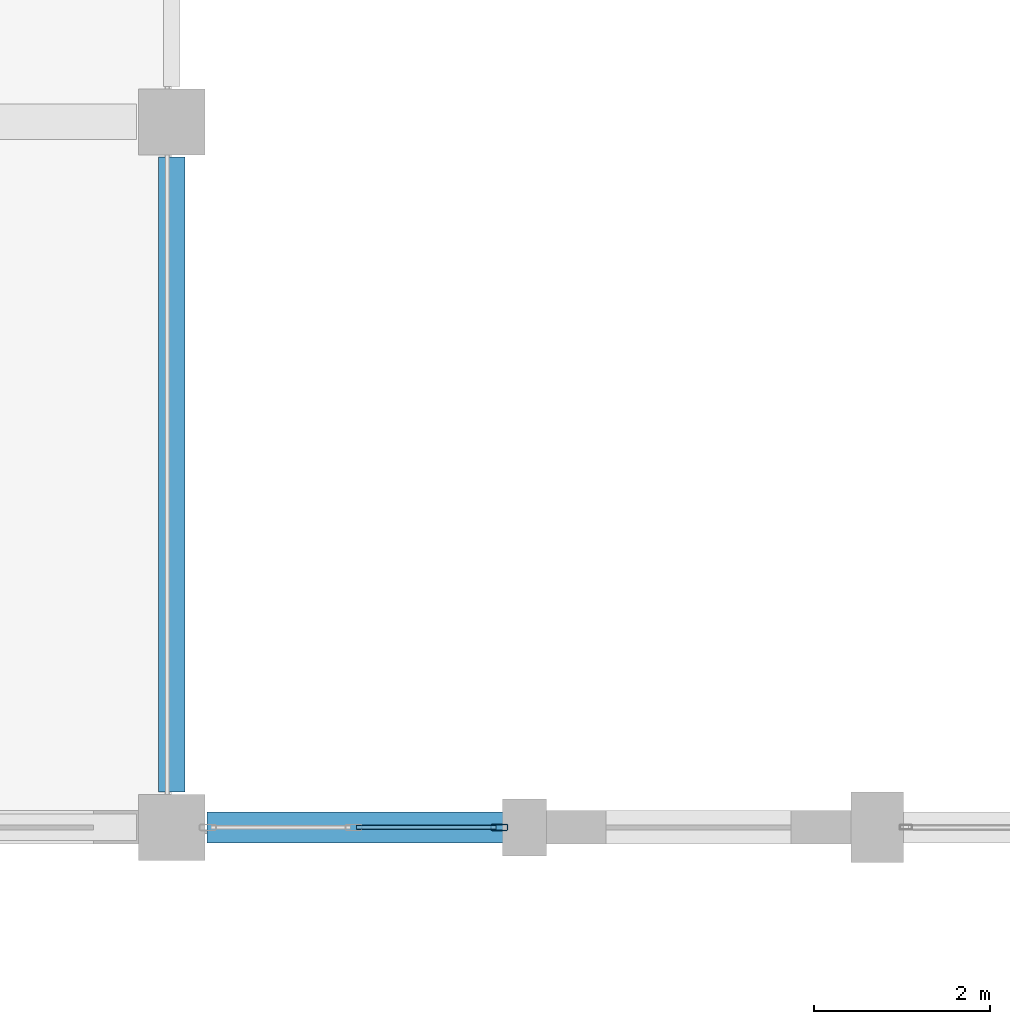
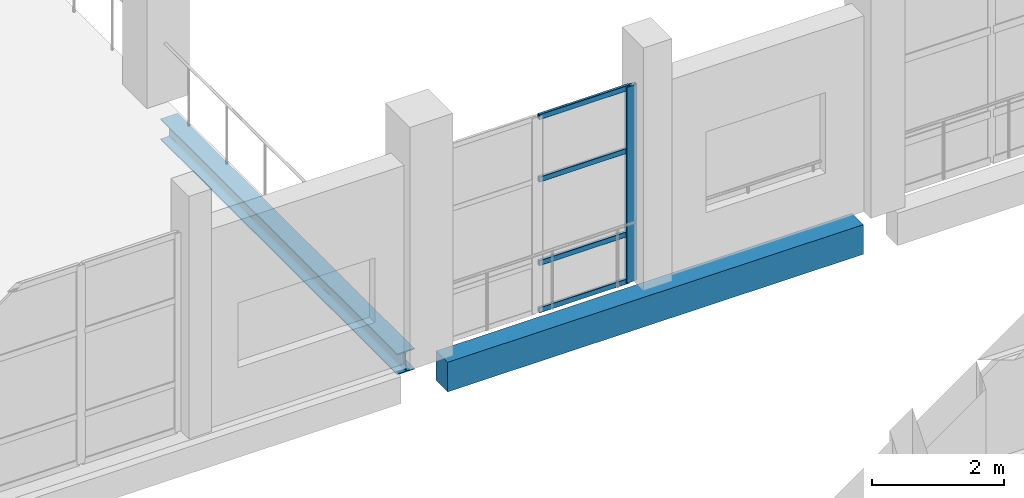
# One storey, part 105 of 183: 5 members, 2 beams, 1 element without a shape of its own.
"""IFC4 building model written with IfcOpenShell, lengths in metres."""

from ifc_helpers import new_model, si_unit, direction, frame, origin, origin_2d, place, context, subcontext, project, spatial, rectangle, hollow_rectangle, i_section, extrude, material, material_profile, profile_set, type_object, element, aggregate, save


model = new_model("IFC4")

# Units and contexts
model_context = context("Model", 3, precision=1e-05, world=origin(), true_north=direction((0.0, 1.0)))
body_context = subcontext(model_context, "Body", "Model", "MODEL_VIEW")
ifc_project = project(units=[si_unit("LENGTHUNIT", "METRE"), si_unit("AREAUNIT", "SQUARE_METRE"), si_unit("VOLUMEUNIT", "CUBIC_METRE"), si_unit("PLANEANGLEUNIT", "RADIAN"), si_unit("MASSUNIT", "GRAM", prefix="KILO")], contexts=[model_context])

# Site, building, storey
site_placement = place(None, origin())
site = spatial("IfcSite", under=ifc_project, at=site_placement, CompositionType="ELEMENT")
building_placement = place(site_placement, origin())
building = spatial("IfcBuilding", under=site, at=building_placement, Name="Luwemba Playhouse", CompositionType="ELEMENT")
storey_placement = place(building_placement, frame((0.0, 0.0, 4.800048828125)))
storey = spatial("IfcBuildingStorey", under=building, at=storey_placement, Name="L01", CompositionType="ELEMENT", Elevation=4.800048828125)

# Beams
ifc_material_1 = material(Name="Steel S355", Category="steel")
ifc_material_profile_1 = material_profile(ifc_material_1, i_section(OverallWidth=0.300048828125, OverallDepth=0.389892578125, WebThickness=0.010986328125, FlangeThickness=0.01904296875, FilletRadius=0.027099609375, at=origin_2d()))
ifc_profile_set_1 = profile_set([ifc_material_profile_1], Name="Steel S355")
beam_type_1 = type_object("IfcBeamType", Name="BM-SB05", PredefinedType="BEAM", material=ifc_profile_set_1)
beam_1_placement = place(storey_placement, frame((140.0, 68.39990234375, -0.445068359375), z_axis=(0.0, 1.0, 0.0), x_axis=(-1.0, 0.0, 0.0)))
element("IfcBeam", 1, at=beam_1_placement, inside=storey, type_object=beam_type_1, Name="L01 transverse girder 0456", PredefinedType="BEAM", context=body_context, shape_type="SweptSolid", body=[
    extrude(i_section(OverallWidth=0.300048828125, OverallDepth=0.389892578125, WebThickness=0.010986328125, FlangeThickness=0.01904296875, FilletRadius=0.027099609375, at=origin_2d()), origin(), (0.0, 0.0, 1.0), 7.2001953125),
])
ifc_material_2 = material(Name="Concrete C40/50", Category="concrete")
ifc_material_profile_2 = material_profile(ifc_material_2, rectangle(XDim=0.35009765625, YDim=0.550048828125, at=origin_2d()))
ifc_profile_set_2 = profile_set([ifc_material_profile_2], Name="Concrete C40/50")
beam_type_2 = type_object("IfcBeamType", Name="BM-SP2", PredefinedType="SPANDREL", material=ifc_profile_set_2)
beam_2_placement = place(storey_placement, frame((140.39990234375, 68.0, -0.525146484375), z_axis=(1.0, 0.0, 0.0), x_axis=(0.0, 1.0, 0.0)))
element("IfcBeam", 2, at=beam_2_placement, inside=storey, type_object=beam_type_2, Name="L01 grid girder 0437", PredefinedType="SPANDREL", context=body_context, shape_type="SweptSolid", body=[
    extrude(rectangle(XDim=0.35009765625, YDim=0.550048828125, at=origin_2d()), origin(), (0.0, 0.0, 1.0), 7.300048828125),
])

# Curtain wall, members
ifc_material_3 = material(Name="Solar-control double glazing", Category="glass")
curtain_wall_type = type_object("IfcCurtainWallType", Name="CW-CW87", PredefinedType="USERDEFINED", material=ifc_material_3)
curtain_wall_placement = place(storey_placement, origin())
curtain_wall = element("IfcCurtainWall", 3, at=curtain_wall_placement, inside=storey, type_object=curtain_wall_type, Name="L01 V4 unitised curtain wall 117", ObjectType="UNITISED GLAZING", PredefinedType="USERDEFINED")
ifc_material_4 = material(Name="Aluminium 6063-T6", Category="aluminium")
ifc_material_profile_3 = material_profile(ifc_material_4, hollow_rectangle(XDim=0.070068359375, YDim=0.18994140625, WallThickness=0.0048828125, InnerFilletRadius=0.007568359375, OuterFilletRadius=0.012451171875, at=origin_2d()))
ifc_profile_set_3 = profile_set([ifc_material_profile_3], Name="Aluminium 6063-T6")
member_type_1 = type_object("IfcMemberType", Name="CWM-M4", PredefinedType="MULLION", material=ifc_profile_set_3)
member_1_placement = place(storey_placement, frame((143.715087890625, 68.0, 0.0), z_axis=(0.0, 0.0, 1.0), x_axis=(0.0, -1.0, 0.0)))
member_1 = element("IfcMember", 4, at=member_1_placement, type_object=member_type_1, Name="CW87 mullion 1", PredefinedType="MULLION", context=body_context, shape_type="SweptSolid", body=[
    extrude(hollow_rectangle(XDim=0.070068359375, YDim=0.18994140625, WallThickness=0.0048828125, InnerFilletRadius=0.007568359375, OuterFilletRadius=0.012451171875, at=origin_2d()), origin(), (0.0, 0.0, 1.0), 3.635009765625),
])
ifc_material_profile_4 = material_profile(ifc_material_4, hollow_rectangle(XDim=0.050048828125, YDim=0.10009765625, WallThickness=0.00341796875, InnerFilletRadius=0.00537109375, OuterFilletRadius=0.0087890625, at=origin_2d()))
ifc_profile_set_4 = profile_set([ifc_material_profile_4], Name="Aluminium 6063-T6")
member_type_2 = type_object("IfcMemberType", Name="CWT-T4", PredefinedType="USERDEFINED", material=ifc_profile_set_4)
member_2_placement = place(storey_placement, frame((143.679931640625, 68.0, 0.02490234375), z_axis=(-1.0, 0.0, 0.0), x_axis=(0.0, -1.0, 0.0)))
member_2 = element("IfcMember", 5, at=member_2_placement, type_object=member_type_2, Name="CW87 transom 1.1", ObjectType="TRANSOM", PredefinedType="USERDEFINED", context=body_context, shape_type="SweptSolid", body=[
    extrude(hollow_rectangle(XDim=0.050048828125, YDim=0.10009765625, WallThickness=0.00341796875, InnerFilletRadius=0.00537109375, OuterFilletRadius=0.0087890625, at=origin_2d()), origin(), (0.0, 0.0, 1.0), 1.58251953125),
])
member_3_placement = place(storey_placement, frame((143.679931640625, 68.0, 0.89990234375), z_axis=(-1.0, 0.0, 0.0), x_axis=(0.0, -1.0, 0.0)))
member_3 = element("IfcMember", 6, at=member_3_placement, type_object=member_type_2, Name="CW87 transom 1.2", ObjectType="TRANSOM", PredefinedType="USERDEFINED", context=body_context, shape_type="SweptSolid", body=[
    extrude(hollow_rectangle(XDim=0.050048828125, YDim=0.10009765625, WallThickness=0.00341796875, InnerFilletRadius=0.00537109375, OuterFilletRadius=0.0087890625, at=origin_2d()), origin(), (0.0, 0.0, 1.0), 1.58251953125),
])
member_4_placement = place(storey_placement, frame((143.679931640625, 68.0, 2.449951171875), z_axis=(-1.0, 0.0, 0.0), x_axis=(0.0, -1.0, 0.0)))
member_4 = element("IfcMember", 7, at=member_4_placement, type_object=member_type_2, Name="CW87 transom 1.3", ObjectType="TRANSOM", PredefinedType="USERDEFINED", context=body_context, shape_type="SweptSolid", body=[
    extrude(hollow_rectangle(XDim=0.050048828125, YDim=0.10009765625, WallThickness=0.00341796875, InnerFilletRadius=0.00537109375, OuterFilletRadius=0.0087890625, at=origin_2d()), origin(), (0.0, 0.0, 1.0), 1.58251953125),
])
member_5_placement = place(storey_placement, frame((143.679931640625, 68.0, 3.60986328125), z_axis=(-1.0, 0.0, 0.0), x_axis=(0.0, -1.0, 0.0)))
member_5 = element("IfcMember", 8, at=member_5_placement, type_object=member_type_2, Name="CW87 transom 1.4", ObjectType="TRANSOM", PredefinedType="USERDEFINED", context=body_context, shape_type="SweptSolid", body=[
    extrude(hollow_rectangle(XDim=0.050048828125, YDim=0.10009765625, WallThickness=0.00341796875, InnerFilletRadius=0.00537109375, OuterFilletRadius=0.0087890625, at=origin_2d()), origin(), (0.0, 0.0, 1.0), 1.58251953125),
])
aggregate(curtain_wall, [member_1, member_2, member_3, member_4, member_5])

save(model, "model.ifc")
